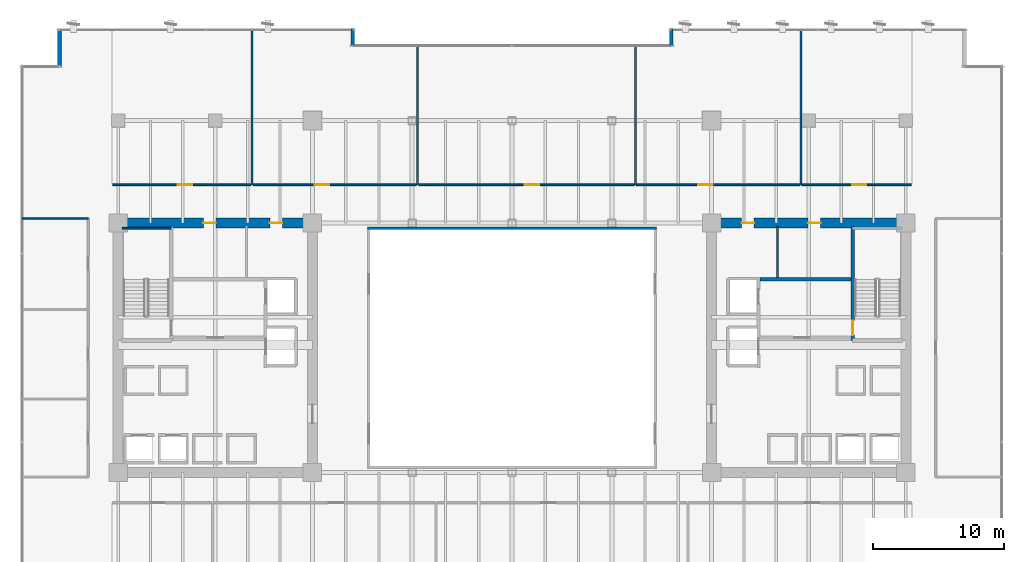
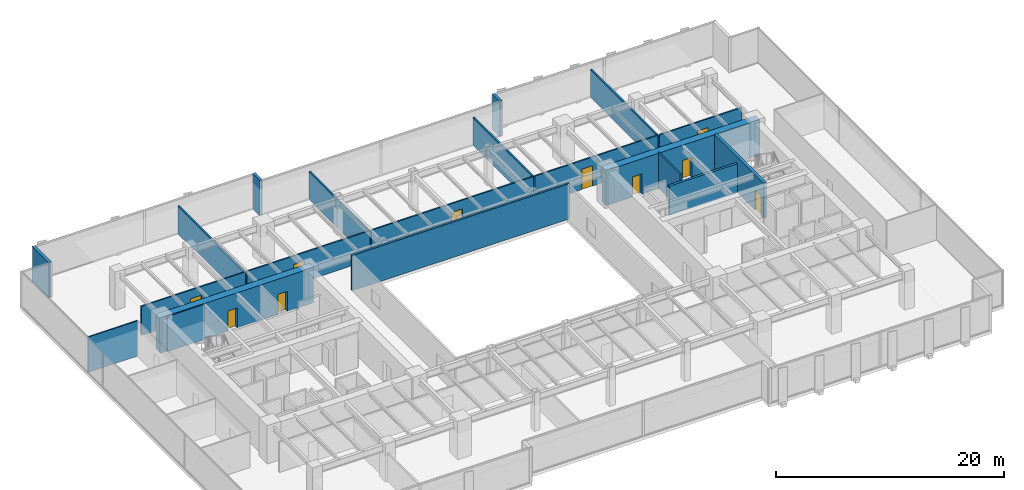
# One storey, part 31 of 37: 20 walls, 10 doors, 10 openings.
"""IFC4 building model written with IfcOpenShell, lengths in metres."""

from ifc_helpers import new_model, si_unit, direction, frame, frame_2d, origin, place, context, subcontext, project, spatial, rectangle, extrude, source, transform, mapped, material, layer, layer_set, type_object, type_shapes, element, fill, save


model = new_model("IFC4")

# Units and contexts
model_context = context("Model", 3, precision=1e-05, world=origin(), true_north=direction((0.0, 1.0)))
body_context = subcontext(model_context, "Body", "Model", "MODEL_VIEW")
ifc_project = project(units=[si_unit("LENGTHUNIT", "METRE"), si_unit("AREAUNIT", "SQUARE_METRE"), si_unit("VOLUMEUNIT", "CUBIC_METRE"), si_unit("PLANEANGLEUNIT", "RADIAN"), si_unit("MASSUNIT", "GRAM", prefix="KILO")], contexts=[model_context])

# Site, building, storey
site_placement = place(None, origin())
site = spatial("IfcSite", under=ifc_project, at=site_placement, CompositionType="ELEMENT")
building_placement = place(site_placement, origin())
building = spatial("IfcBuilding", under=site, at=building_placement, Name="Haelvirn Gate Laboratories", CompositionType="ELEMENT")
storey_placement = place(building_placement, frame((0.0, 0.0, 74.39990234375)))
storey = spatial("IfcBuildingStorey", under=building, at=storey_placement, Name="L18", CompositionType="ELEMENT", Elevation=74.39990234375)

# Walls
ifc_material_1 = material(Name="Thermally-broken bronze aluminium rainscreen & mineral wool", Category="aluminium")
ifc_layer_1 = layer(ifc_material_1, 0.280029296875, Name="EW-TERR-280")
ifc_layer_set_1 = layer_set([ifc_layer_1], Name="Thermally-broken bronze aluminium rainscreen & mineral wool")
wall_type_1 = type_object("IfcWallType", Name="EW-TERR-280", PredefinedType="STANDARD", material=ifc_layer_set_1)
for number, where, z_axis, x_axis, name in (
    (1, (49.5400390625, 48.60009765625, 0.0), (0.0, 0.0, 1.0), (0.0, -1.0, 0.0), "L18 Atrium Recess Bronze Return Wall 11"),
    (2, (25.260009765625, 47.31201171875, 0.0), (0.0, 0.0, 1.0), (0.0, 1.0, 0.0), "L18 Atrium Recess Bronze Return Wall 13"),
):
    element("IfcWall", number, at=place(storey_placement, frame(where, z_axis=z_axis, x_axis=x_axis)), inside=storey, type_object=wall_type_1, Name=name, PredefinedType="STANDARD", context=body_context, shape_type="SweptSolid", body=[
        extrude(rectangle(XDim=1.2880859375, YDim=0.280029296875, at=frame_2d((0.64404296875, 0.0))), origin(), (0.0, 0.0, 1.0), 3.780029296875),
    ])
wall_1_placement = place(storey_placement, frame((2.93994140625, 48.60009765625, 0.0), z_axis=(0.0, 0.0, 1.0), x_axis=(0.0, -1.0, 0.0)))
element("IfcWall", 3, at=wall_1_placement, inside=storey, type_object=wall_type_1, Name="L18 Atrium Recess Bronze Return Wall 15", PredefinedType="STANDARD", context=body_context, shape_type="SweptSolid", body=[
    extrude(rectangle(XDim=2.88818359375, YDim=0.280029296875, at=frame_2d((1.444091796875, 0.0))), origin(), (0.0, 0.0, 1.0), 3.780029296875),
])
ifc_material_2 = material(Name="Double-layer acoustic gypsum laboratory partition", Category="gypsum")
ifc_layer_2 = layer(ifc_material_2, 0.159912109375, Name="IW-ACOUST-160")
ifc_layer_set_2 = layer_set([ifc_layer_2], Name="Double-layer acoustic gypsum laboratory partition")
wall_type_2 = type_object("IfcWallType", Name="IW-ACOUST-160", PredefinedType="PARTITIONING", material=ifc_layer_set_2)
wall_2_placement = place(storey_placement, frame((17.60009765625, 36.7099609375, 0.0), z_axis=(0.0, 0.0, 1.0), x_axis=(0.0, 1.0, 0.0)))
element("IfcWall", 4, at=wall_2_placement, inside=storey, type_object=wall_type_2, Name="L18 Interior Wall IW-L18-NDIV-01", PredefinedType="PARTITIONING", context=body_context, shape_type="SweptSolid", body=[
    extrude(rectangle(XDim=11.780029296875, YDim=0.159912109375, at=frame_2d((5.89013671875, 0.0))), origin(), (0.0, 0.0, 1.0), 3.01513671875),
])
for number, where, z_axis, x_axis, name in (
    (5, (30.199951171875, 36.7099609375, 0.0), (0.0, 0.0, 1.0), (0.0, 1.0, 0.0), "L18 Interior Wall IW-L18-NDIV-02"),
    (6, (46.800048828125, 36.7099609375, 0.0), (0.0, 0.0, 1.0), (0.0, 1.0, 0.0), "L18 Interior Wall IW-L18-NDIV-03"),
):
    element("IfcWall", number, at=place(storey_placement, frame(where, z_axis=z_axis, x_axis=x_axis)), inside=storey, type_object=wall_type_2, Name=name, PredefinedType="PARTITIONING", context=body_context, shape_type="SweptSolid", body=[
        extrude(rectangle(XDim=10.580078125, YDim=0.159912109375, at=frame_2d((5.2900390625, 0.0))), origin(), (0.0, 0.0, 1.0), 3.01513671875),
    ])
wall_3_placement = place(storey_placement, frame((59.39990234375, 36.7099609375, 0.0), z_axis=(0.0, 0.0, 1.0), x_axis=(0.0, 1.0, 0.0)))
element("IfcWall", 7, at=wall_3_placement, inside=storey, type_object=wall_type_2, Name="L18 Interior Wall IW-L18-NDIV-04", PredefinedType="PARTITIONING", context=body_context, shape_type="SweptSolid", body=[
    extrude(rectangle(XDim=11.780029296875, YDim=0.159912109375, at=frame_2d((5.89013671875, 0.0))), origin(), (0.0, 0.0, 1.0), 3.01513671875),
])
ifc_material_3 = material(Name="Tempered fire-rated borosilicate glass & anodised aluminium", Category="aluminium")
ifc_layer_3 = layer(ifc_material_3, 0.195068359375, Name="IW-GLAZ-200")
ifc_layer_set_3 = layer_set([ifc_layer_3], Name="Tempered fire-rated borosilicate glass & anodised aluminium")
wall_type_3 = type_object("IfcWallType", Name="IW-GLAZ-200", PredefinedType="SOLIDWALL", material=ifc_layer_set_3)
wall_4_placement = place(storey_placement, frame((26.39990234375, 33.39990234375, 0.0), z_axis=(0.0, 0.0, 1.0), x_axis=(1.0, 0.0, 0.0)))
element("IfcWall", 8, at=wall_4_placement, inside=storey, type_object=wall_type_3, Name="L18 Interior Wall IW-L18-ATRIUM-N", PredefinedType="SOLIDWALL", context=body_context, shape_type="SweptSolid", body=[
    extrude(rectangle(XDim=22.0, YDim=0.195068359375, at=frame_2d((11.0, 0.0))), origin(), (0.0, 0.0, 1.0), 3.780029296875),
])
ifc_material_4 = material(Name="Lightweight acoustic gypsum board partition", Category="gypsum")
ifc_layer_4 = layer(ifc_material_4, 0.1201171875, Name="IW-PART-120")
ifc_layer_set_4 = layer_set([ifc_layer_4], Name="Lightweight acoustic gypsum board partition")
wall_type_4 = type_object("IfcWallType", Name="IW-PART-120", PredefinedType="PARTITIONING", material=ifc_layer_set_4)
wall_5_placement = place(storey_placement, frame((0.110107421875, 34.135009765625, 0.0), z_axis=(0.0, 0.0, 1.0), x_axis=(1.0, 0.0, 0.0)))
element("IfcWall", 9, at=wall_5_placement, inside=storey, type_object=wall_type_4, Name="L18 Interior Wall IW-L18-WCAP-N", PredefinedType="PARTITIONING", context=body_context, shape_type="SweptSolid", body=[
    extrude(rectangle(XDim=5.019775390625, YDim=0.1201171875, at=frame_2d((2.509765625, 0.0))), origin(), (0.0, 0.0, 1.0), 3.780029296875),
])

# Wall, opening, door
ifc_material_5 = material(Name="Acoustic mineral-wool gypsum board partition", Category="gypsum")
ifc_layer_5 = layer(ifc_material_5, 0.139892578125, Name="IW-PART-140")
ifc_layer_set_5 = layer_set([ifc_layer_5], Name="Acoustic mineral-wool gypsum board partition")
wall_type_5 = type_object("IfcWallType", Name="IW-PART-140", PredefinedType="PARTITIONING", material=ifc_layer_set_5)
wall_6_placement = place(storey_placement, frame((6.97998046875, 36.7099609375, 0.0), z_axis=(0.0, 0.0, 1.0), x_axis=(1.0, 0.0, 0.0)))
wall_6 = element("IfcWall", 10, at=wall_6_placement, inside=storey, type_object=wall_type_5, Name="L18 Interior Wall IW-L18-NCORR-01", PredefinedType="PARTITIONING", context=body_context, shape_type="SweptSolid", body=[
    extrude(rectangle(XDim=10.5400390625, YDim=0.139892578125, at=frame_2d((5.27001953125, 0.0))), origin(), (0.0, 0.0, 1.0), 3.114990234375),
])
opening_1_placement = place(wall_6_placement, frame((4.982177734375, 0.0, 0.0)))
opening_1 = element("IfcOpeningElement", 11, at=opening_1_placement, cuts=wall_6, Name="Opening D1", PredefinedType="OPENING", context=body_context, shape_type="SweptSolid", body=[
    extrude(rectangle(XDim=1.10009765625, YDim=2.179931640625, at=frame_2d((0.550048828125, 1.08984375))), frame((0.0, 0.080078125, 0.0), z_axis=(0.0, -1.0, 0.0), x_axis=(1.0, 0.0, 0.0)), (0.0, 0.0, 1.0), 0.159912109375),
])
ifc_material_6 = material(Name="Vision-panel acoustic solid-core timber lab door", Category="wood")
door_type_1 = type_object("IfcDoorType", Name="DR-LAB-1100", OperationType="NOTDEFINED", PredefinedType="DOOR", material=ifc_material_6)
shared_shape_1 = source(origin(), body_context, "Body", "SweptSolid", [
    extrude(rectangle(XDim=1.10009765625, YDim=2.179931640625, at=frame_2d((0.550048828125, 1.08984375))), frame((0.0, 0.02490234375, 0.0), z_axis=(0.0, -1.0, 0.0), x_axis=(1.0, 0.0, 0.0)), (0.0, 0.0, 1.0), 0.050048828125),
])
type_shapes(door_type_1, [shared_shape_1])
door_1_placement = place(opening_1_placement, origin())
door_1 = element("IfcDoor", 12, at=door_1_placement, inside=storey, type_object=door_type_1, Name="L18 Researcher Break Pantry Door N1", OperationType="SINGLE_SWING_RIGHT", OverallHeight=2.179931640625, OverallWidth=1.10009765625, PredefinedType="DOOR", context=body_context, shape_type="MappedRepresentation", body=[
    mapped(shared_shape_1, transform((0.0, 0.0, 0.0), scale=1.0)),
])
fill(opening_1, door_1)

wall_7_placement = place(storey_placement, frame((17.679931640625, 36.7099609375, 0.0), z_axis=(0.0, 0.0, 1.0), x_axis=(1.0, 0.0, 0.0)))
wall_7 = element("IfcWall", 13, at=wall_7_placement, inside=storey, type_object=wall_type_5, Name="L18 Interior Wall IW-L18-NCORR-02", PredefinedType="PARTITIONING", context=body_context, shape_type="SweptSolid", body=[
    extrude(rectangle(XDim=12.440185546875, YDim=0.139892578125, at=frame_2d((6.22021484375, 0.0))), origin(), (0.0, 0.0, 1.0), 3.114990234375),
])
opening_2_placement = place(wall_7_placement, frame((4.71240234375, 0.0, 0.0)))
opening_2 = element("IfcOpeningElement", 14, at=opening_2_placement, cuts=wall_7, Name="Opening D1", PredefinedType="OPENING", context=body_context, shape_type="SweptSolid", body=[
    extrude(rectangle(XDim=1.10009765625, YDim=2.179931640625, at=frame_2d((0.550048828125, 1.08984375))), frame((0.0, 0.080078125, 0.0), z_axis=(0.0, -1.0, 0.0), x_axis=(1.0, 0.0, 0.0)), (0.0, 0.0, 1.0), 0.159912109375),
])
door_2_placement = place(opening_2_placement, origin())
door_2 = element("IfcDoor", 15, at=door_2_placement, inside=storey, type_object=door_type_1, Name="L18 Floor Hydration & Tea Servery Door N2", OperationType="SINGLE_SWING_LEFT", OverallHeight=2.179931640625, OverallWidth=1.10009765625, PredefinedType="DOOR", context=body_context, shape_type="MappedRepresentation", body=[
    mapped(shared_shape_1, transform((0.0, 0.0, 0.0), scale=1.0)),
])
fill(opening_2, door_2)

wall_8_placement = place(storey_placement, frame((30.280029296875, 36.7099609375, 0.0), z_axis=(0.0, 0.0, 1.0), x_axis=(1.0, 0.0, 0.0)))
wall_8 = element("IfcWall", 16, at=wall_8_placement, inside=storey, type_object=wall_type_5, Name="L18 Interior Wall IW-L18-NCORR-03", PredefinedType="PARTITIONING", context=body_context, shape_type="SweptSolid", body=[
    extrude(rectangle(XDim=16.43994140625, YDim=0.139892578125, at=frame_2d((8.219970703125, 0.0))), origin(), (0.0, 0.0, 1.0), 3.114990234375),
])
opening_3_placement = place(wall_8_placement, frame((8.109130859375, 0.0, 0.0)))
opening_3 = element("IfcOpeningElement", 17, at=opening_3_placement, cuts=wall_8, Name="Opening D1", PredefinedType="OPENING", context=body_context, shape_type="SweptSolid", body=[
    extrude(rectangle(XDim=1.10009765625, YDim=2.179931640625, at=frame_2d((0.550048828125, 1.08984375))), frame((0.0, 0.080078125, 0.0), z_axis=(0.0, -1.0, 0.0), x_axis=(1.0, 0.0, 0.0)), (0.0, 0.0, 1.0), 0.159912109375),
])
door_3_placement = place(opening_3_placement, origin())
door_3 = element("IfcDoor", 18, at=door_3_placement, inside=storey, type_object=door_type_1, Name="L18 Bioinformatics Dry-Lab Workspace Door N3", OperationType="SINGLE_SWING_RIGHT", OverallHeight=2.179931640625, OverallWidth=1.10009765625, PredefinedType="DOOR", context=body_context, shape_type="MappedRepresentation", body=[
    mapped(shared_shape_1, transform((0.0, 0.0, 0.0), scale=1.0)),
])
fill(opening_3, door_3)

wall_9_placement = place(storey_placement, frame((46.8798828125, 36.7099609375, 0.0), z_axis=(0.0, 0.0, 1.0), x_axis=(1.0, 0.0, 0.0)))
wall_9 = element("IfcWall", 19, at=wall_9_placement, inside=storey, type_object=wall_type_5, Name="L18 Interior Wall IW-L18-NCORR-04", PredefinedType="PARTITIONING", context=body_context, shape_type="SweptSolid", body=[
    extrude(rectangle(XDim=12.440185546875, YDim=0.139892578125, at=frame_2d((6.22021484375, 0.0))), origin(), (0.0, 0.0, 1.0), 3.114990234375),
])
opening_4_placement = place(wall_9_placement, frame((4.71240234375, 0.0, 0.0)))
opening_4 = element("IfcOpeningElement", 20, at=opening_4_placement, cuts=wall_9, Name="Opening D1", PredefinedType="OPENING", context=body_context, shape_type="SweptSolid", body=[
    extrude(rectangle(XDim=1.10009765625, YDim=2.179931640625, at=frame_2d((0.550048828125, 1.08984375))), frame((0.0, 0.080078125, 0.0), z_axis=(0.0, -1.0, 0.0), x_axis=(1.0, 0.0, 0.0)), (0.0, 0.0, 1.0), 0.159912109375),
])
door_4_placement = place(opening_4_placement, origin())
door_4 = element("IfcDoor", 21, at=door_4_placement, inside=storey, type_object=door_type_1, Name="L18 Translational Data Office Door N4", OperationType="SINGLE_SWING_LEFT", OverallHeight=2.179931640625, OverallWidth=1.10009765625, PredefinedType="DOOR", context=body_context, shape_type="MappedRepresentation", body=[
    mapped(shared_shape_1, transform((0.0, 0.0, 0.0), scale=1.0)),
])
fill(opening_4, door_4)

wall_10_placement = place(storey_placement, frame((59.47998046875, 36.7099609375, 0.0), z_axis=(0.0, 0.0, 1.0), x_axis=(1.0, 0.0, 0.0)))
wall_10 = element("IfcWall", 22, at=wall_10_placement, inside=storey, type_object=wall_type_5, Name="L18 Interior Wall IW-L18-NCORR-05", PredefinedType="PARTITIONING", context=body_context, shape_type="SweptSolid", body=[
    extrude(rectangle(XDim=8.340087890625, YDim=0.139892578125, at=frame_2d((4.169921875, 0.0))), origin(), (0.0, 0.0, 1.0), 3.114990234375),
])
opening_5_placement = place(wall_10_placement, frame((3.816162109375, 0.0, 0.0)))
opening_5 = element("IfcOpeningElement", 23, at=opening_5_placement, cuts=wall_10, Name="Opening D1", PredefinedType="OPENING", context=body_context, shape_type="SweptSolid", body=[
    extrude(rectangle(XDim=1.10009765625, YDim=2.179931640625, at=frame_2d((0.550048828125, 1.08984375))), frame((0.0, 0.080078125, 0.0), z_axis=(0.0, -1.0, 0.0), x_axis=(1.0, 0.0, 0.0)), (0.0, 0.0, 1.0), 0.159912109375),
])
door_5_placement = place(opening_5_placement, origin())
door_5 = element("IfcDoor", 24, at=door_5_placement, inside=storey, type_object=door_type_1, Name="L18 Genomics Assay Laboratory Door N5", OperationType="SINGLE_SWING_RIGHT", OverallHeight=2.179931640625, OverallWidth=1.10009765625, PredefinedType="DOOR", context=body_context, shape_type="MappedRepresentation", body=[
    mapped(shared_shape_1, transform((0.0, 0.0, 0.0), scale=1.0)),
])
fill(opening_5, door_5)

# Walls
ifc_material_7 = material(Name="Cement-board restroom plumbing chase wall", Category="gypsum")
ifc_layer_6 = layer(ifc_material_7, 0.155029296875, Name="IW-PLUMB-160")
ifc_layer_set_6 = layer_set([ifc_layer_6], Name="Cement-board restroom plumbing chase wall")
wall_type_6 = type_object("IfcWallType", Name="IW-PLUMB-160", PredefinedType="PLUMBINGWALL", material=ifc_layer_set_6)
wall_11_placement = place(storey_placement, frame((57.610107421875, 29.64990234375, 0.0), z_axis=(0.0, 0.0, 1.0), x_axis=(0.0, 1.0, 0.0)))
element("IfcWall", 25, at=wall_11_placement, inside=storey, type_object=wall_type_6, Name="L18 Interior Wall IW-L18-E-CDIV-1", PredefinedType="PLUMBINGWALL", context=body_context, shape_type="SweptSolid", body=[
    extrude(rectangle(XDim=3.93017578125, YDim=0.155029296875, at=frame_2d((1.965087890625, 0.0))), origin(), (0.0, 0.0, 1.0), 3.780029296875),
])
ifc_material_8 = material(Name="Concrete C40/50", Category="concrete")
ifc_layer_7 = layer(ifc_material_8, 0.239990234375, Name="IW-SHAFT-240")
ifc_layer_set_7 = layer_set([ifc_layer_7], Name="Concrete C40/50")
wall_type_7 = type_object("IfcWallType", Name="IW-SHAFT-240", PredefinedType="SOLIDWALL", material=ifc_layer_set_7)
wall_12_placement = place(storey_placement, frame((56.280029296875, 29.52001953125, 0.0), z_axis=(0.0, 0.0, 1.0), x_axis=(1.0, 0.0, 0.0)))
element("IfcWall", 26, at=wall_12_placement, inside=storey, type_object=wall_type_7, Name="L18 Interior Wall IW-L18-E-FF-N", PredefinedType="SOLIDWALL", context=body_context, shape_type="SweptSolid", body=[
    extrude(rectangle(XDim=6.919921875, YDim=0.239990234375, at=frame_2d((3.4599609375, 0.0))), origin(), (0.0, 0.0, 1.0), 3.114990234375),
])

# Wall, openings, doors
ifc_material_9 = material(Name="Concrete C70/85", Category="concrete")
ifc_layer_8 = layer(ifc_material_9, 0.75, Name="SW-CORE-750")
ifc_layer_set_8 = layer_set([ifc_layer_8], Name="Concrete C70/85")
wall_type_8 = type_object("IfcWallType", Name="SW-CORE-750", PredefinedType="SHEAR", material=ifc_layer_set_8)
wall_13_placement = place(storey_placement, frame((7.02490234375, 33.800048828125, 0.0), z_axis=(0.0, 0.0, 1.0), x_axis=(1.0, 0.0, 0.0)))
wall_13 = element("IfcWall", 27, at=wall_13_placement, inside=storey, type_object=wall_type_8, Name="L18 W Core Shear Wall N", PredefinedType="SHEAR", context=body_context, shape_type="SweptSolid", body=[
    extrude(rectangle(XDim=15.550048828125, YDim=0.75, at=frame_2d((7.77490234375, 0.0))), origin(), (0.0, 0.0, 1.0), 3.780029296875),
])
opening_6_placement = place(wall_13_placement, frame((6.875, 0.0, 0.0)))
opening_6 = element("IfcOpeningElement", 28, at=opening_6_placement, cuts=wall_13, Name="Opening FD4", PredefinedType="OPENING", context=body_context, shape_type="SweptSolid", body=[
    extrude(rectangle(XDim=0.949951171875, YDim=2.14990234375, at=frame_2d((0.47509765625, 1.074951171875))), frame((0.0, 0.385009765625, 0.0), z_axis=(0.0, -1.0, 0.0), x_axis=(1.0, 0.0, 0.0)), (0.0, 0.0, 1.0), 0.77001953125),
])
opening_7_placement = place(wall_13_placement, frame((11.93994140625, 0.0, 0.0)))
opening_7 = element("IfcOpeningElement", 29, at=opening_7_placement, cuts=wall_13, Name="Opening FD4", PredefinedType="OPENING", context=body_context, shape_type="SweptSolid", body=[
    extrude(rectangle(XDim=0.949951171875, YDim=2.14990234375, at=frame_2d((0.47509765625, 1.074951171875))), frame((0.0, 0.385009765625, 0.0), z_axis=(0.0, -1.0, 0.0), x_axis=(1.0, 0.0, 0.0)), (0.0, 0.0, 1.0), 0.77001953125),
])
ifc_material_10 = material(Name="Fire-rated steel SM355 core service door", Category="steel")
door_type_2 = type_object("IfcDoorType", Name="DR-FD-950", OperationType="NOTDEFINED", PredefinedType="DOOR", material=ifc_material_10)
shared_shape_2 = source(origin(), body_context, "Body", "SweptSolid", [
    extrude(rectangle(XDim=0.949951171875, YDim=2.14990234375, at=frame_2d((0.47509765625, 1.074951171875))), frame((0.0, 0.02490234375, 0.0), z_axis=(0.0, -1.0, 0.0), x_axis=(1.0, 0.0, 0.0)), (0.0, 0.0, 1.0), 0.050048828125),
])
type_shapes(door_type_2, [shared_shape_2])
door_6_placement = place(opening_6_placement, origin())
door_6 = element("IfcDoor", 30, at=door_6_placement, inside=storey, type_object=door_type_2, Name="L18 All-Gender Multi-Stall Restroom Fire Door", OperationType="SINGLE_SWING_LEFT", OverallHeight=2.14990234375, OverallWidth=0.949951171875, PredefinedType="DOOR", context=body_context, shape_type="MappedRepresentation", body=[
    mapped(shared_shape_2, transform((0.0, 0.0, 0.0), scale=1.0)),
])
fill(opening_6, door_6)
door_7_placement = place(opening_7_placement, origin())
door_7 = element("IfcDoor", 31, at=door_7_placement, inside=storey, type_object=door_type_2, Name="L18 Accessible Restroom Fire Door", OperationType="SINGLE_SWING_RIGHT", OverallHeight=2.14990234375, OverallWidth=0.949951171875, PredefinedType="DOOR", context=body_context, shape_type="MappedRepresentation", body=[
    mapped(shared_shape_2, transform((0.0, 0.0, 0.0), scale=1.0)),
])
fill(opening_7, door_7)

wall_14_placement = place(storey_placement, frame((52.22509765625, 33.800048828125, 0.0), z_axis=(0.0, 0.0, 1.0), x_axis=(1.0, 0.0, 0.0)))
wall_14 = element("IfcWall", 32, at=wall_14_placement, inside=storey, type_object=wall_type_8, Name="L18 E Core Shear Wall N", PredefinedType="SHEAR", context=body_context, shape_type="SweptSolid", body=[
    extrude(rectangle(XDim=15.5498046875, YDim=0.75, at=frame_2d((7.77490234375, 0.0))), origin(), (0.0, 0.0, 1.0), 3.780029296875),
])
opening_8_placement = place(wall_14_placement, frame((7.72509765625, 0.0, 0.0)))
opening_8 = element("IfcOpeningElement", 33, at=opening_8_placement, cuts=wall_14, Name="Opening FD4", PredefinedType="OPENING", context=body_context, shape_type="SweptSolid", body=[
    extrude(rectangle(XDim=0.949951171875, YDim=2.14990234375, at=frame_2d((0.47509765625, 1.074951171875))), frame((0.0, 0.385009765625, 0.0), z_axis=(0.0, -1.0, 0.0), x_axis=(1.0, 0.0, 0.0)), (0.0, 0.0, 1.0), 0.77001953125),
])
opening_9_placement = place(wall_14_placement, frame((2.659912109375, 0.0, 0.0)))
opening_9 = element("IfcOpeningElement", 34, at=opening_9_placement, cuts=wall_14, Name="Opening FD4", PredefinedType="OPENING", context=body_context, shape_type="SweptSolid", body=[
    extrude(rectangle(XDim=0.949951171875, YDim=2.14990234375, at=frame_2d((0.47509765625, 1.074951171875))), frame((0.0, 0.385009765625, 0.0), z_axis=(0.0, -1.0, 0.0), x_axis=(1.0, 0.0, 0.0)), (0.0, 0.0, 1.0), 0.77001953125),
])
door_8_placement = place(opening_8_placement, origin())
door_8 = element("IfcDoor", 35, at=door_8_placement, inside=storey, type_object=door_type_2, Name="L18 All-Gender Multi-Stall Restroom Fire Door", OperationType="SINGLE_SWING_LEFT", OverallHeight=2.14990234375, OverallWidth=0.949951171875, PredefinedType="DOOR", context=body_context, shape_type="MappedRepresentation", body=[
    mapped(shared_shape_2, transform((0.0, 0.0, 0.0), scale=1.0)),
])
fill(opening_8, door_8)
door_9_placement = place(opening_9_placement, origin())
door_9 = element("IfcDoor", 36, at=door_9_placement, inside=storey, type_object=door_type_2, Name="L18 Accessible Restroom Fire Door", OperationType="SINGLE_SWING_RIGHT", OverallHeight=2.14990234375, OverallWidth=0.949951171875, PredefinedType="DOOR", context=body_context, shape_type="MappedRepresentation", body=[
    mapped(shared_shape_2, transform((0.0, 0.0, 0.0), scale=1.0)),
])
fill(opening_9, door_9)

# Wall
ifc_material_11 = material(Name="Concrete C50/60", Category="concrete")
ifc_layer_9 = layer(ifc_material_11, 0.1201171875, Name="SW-LINER-120")
ifc_layer_set_9 = layer_set([ifc_layer_9], Name="Concrete C50/60")
wall_type_9 = type_object("IfcWallType", Name="SW-LINER-120", PredefinedType="SOLIDWALL", material=ifc_layer_set_9)
wall_15_placement = place(storey_placement, frame((7.72998046875, 33.39990234375, 0.0), z_axis=(0.0, 0.0, 1.0), x_axis=(1.0, 0.0, 0.0)))
element("IfcWall", 37, at=wall_15_placement, inside=storey, type_object=wall_type_9, Name="L18 W Core Stair Shaft Liner Wall N", PredefinedType="SOLIDWALL", context=body_context, shape_type="SweptSolid", body=[
    extrude(rectangle(XDim=3.719970703125, YDim=0.1201171875, at=frame_2d((1.85986328125, 0.0))), origin(), (0.0, 0.0, 1.0), 3.780029296875),
])

# Wall, opening, door
ifc_layer_10 = layer(ifc_material_11, 0.300048828125, Name="SW-STAIR-300")
ifc_layer_set_10 = layer_set([ifc_layer_10], Name="Concrete C50/60")
wall_type_10 = type_object("IfcWallType", Name="SW-STAIR-300", PredefinedType="SHEAR", material=ifc_layer_set_10)
wall_16_placement = place(storey_placement, frame((63.35009765625, 24.85009765625, 0.0), z_axis=(0.0, 0.0, 1.0), x_axis=(0.0, 1.0, 0.0)))
wall_16 = element("IfcWall", 38, at=wall_16_placement, inside=storey, type_object=wall_type_10, Name="L18 E Core Stair Shaft Structural Wall IN", PredefinedType="SHEAR", context=body_context, shape_type="SweptSolid", body=[
    extrude(rectangle(XDim=8.6298828125, YDim=0.300048828125, at=frame_2d((4.31494140625, 0.0))), origin(), (0.0, 0.0, 1.0), 3.780029296875),
])
opening_10_placement = place(wall_16_placement, frame((0.419921875, 0.0, 0.0)))
opening_10 = element("IfcOpeningElement", 39, at=opening_10_placement, cuts=wall_16, Name="Opening FD3", PredefinedType="OPENING", context=body_context, shape_type="SweptSolid", body=[
    extrude(rectangle(XDim=1.10009765625, YDim=2.14990234375, at=frame_2d((0.550048828125, 1.074951171875))), frame((0.0, 0.16015625, 0.0), z_axis=(0.0, -1.0, 0.0), x_axis=(1.0, 0.0, 0.0)), (0.0, 0.0, 1.0), 0.320068359375),
])
ifc_material_12 = material(Name="Fire-rated steel SM355 escape stair door", Category="steel")
door_type_3 = type_object("IfcDoorType", Name="DR-FD-1100", OperationType="NOTDEFINED", PredefinedType="DOOR", material=ifc_material_12)
shared_shape_3 = source(origin(), body_context, "Body", "SweptSolid", [
    extrude(rectangle(XDim=1.10009765625, YDim=2.14990234375, at=frame_2d((0.550048828125, 1.074951171875))), frame((0.0, 0.02490234375, 0.0), z_axis=(0.0, -1.0, 0.0), x_axis=(1.0, 0.0, 0.0)), (0.0, 0.0, 1.0), 0.050048828125),
])
type_shapes(door_type_3, [shared_shape_3])
door_10_placement = place(opening_10_placement, origin())
door_10 = element("IfcDoor", 40, at=door_10_placement, inside=storey, type_object=door_type_3, Name="L18 Escape Stair ST2 Fire Door", OperationType="SINGLE_SWING_RIGHT", OverallHeight=2.14990234375, OverallWidth=1.10009765625, PredefinedType="DOOR", context=body_context, shape_type="MappedRepresentation", body=[
    mapped(shared_shape_3, transform((0.0, 0.0, 0.0), scale=1.0)),
])
fill(opening_10, door_10)

save(model, "model.ifc")
